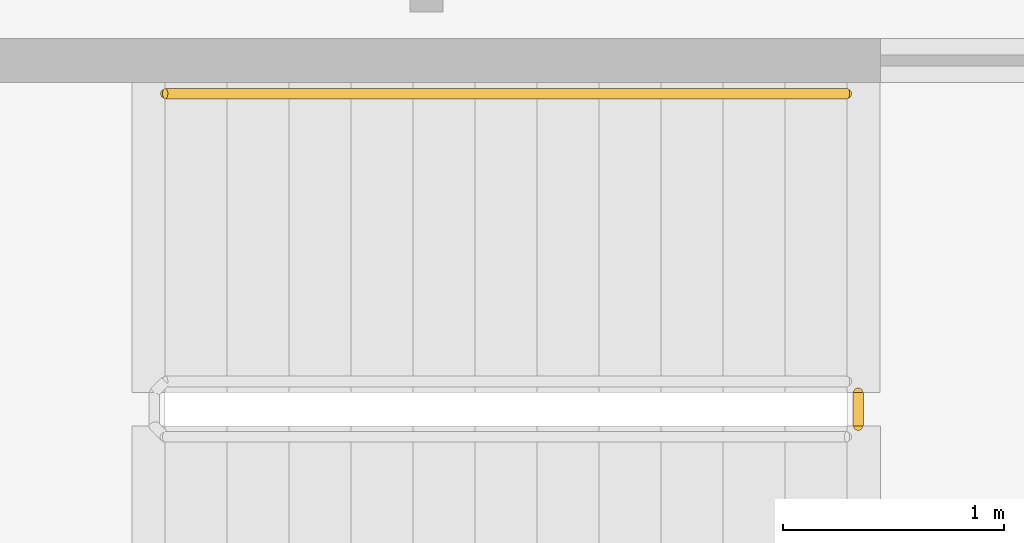
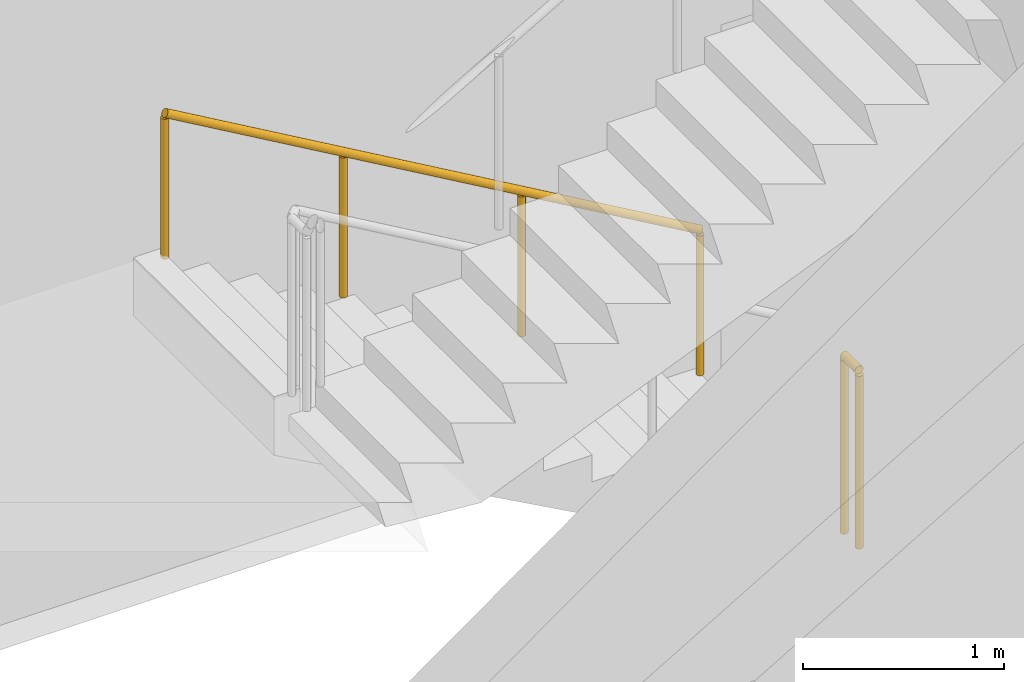
# One storey, part 19 of 22: 2 railings.
"""IFC4 building model written with IfcOpenShell, lengths in metres."""

from ifc_helpers import new_model, si_unit, direction, frame, origin, origin_2d, place, context, subcontext, project, spatial, circle, extrude, material, type_object, element, save


model = new_model("IFC4")

# Units and contexts
model_context = context("Model", 3, precision=1e-05, world=origin(), true_north=direction((0.0, 1.0)))
body_context = subcontext(model_context, "Body", "Model", "MODEL_VIEW")
ifc_project = project(units=[si_unit("LENGTHUNIT", "METRE"), si_unit("AREAUNIT", "SQUARE_METRE"), si_unit("VOLUMEUNIT", "CUBIC_METRE"), si_unit("PLANEANGLEUNIT", "RADIAN"), si_unit("MASSUNIT", "GRAM", prefix="KILO")], contexts=[model_context])

# Site, building, storey
site_placement = place(None, origin())
site = spatial("IfcSite", under=ifc_project, at=site_placement, CompositionType="ELEMENT")
building_placement = place(site_placement, origin())
building = spatial("IfcBuilding", under=site, at=building_placement, Name="Kheshtan School and Residences Tower", CompositionType="ELEMENT")
storey_placement = place(building_placement, frame((0.0, 0.0, 251.300048828125)))
storey = spatial("IfcBuildingStorey", under=building, at=storey_placement, Name="L59", CompositionType="ELEMENT", Elevation=251.300048828125)

# Railings
ifc_material_1 = material(Name="Stainless steel balustrade", Category="steel")
railing_type_1 = type_object("IfcRailingType", Name="Stair guard 1100", PredefinedType="GUARDRAIL", material=ifc_material_1)
railing_1_placement = place(storey_placement, frame((78.4599609375, 24.39990234375, 0.0)))
element("IfcRailing", 1, at=railing_1_placement, inside=storey, type_object=railing_type_1, Name="L59 ST5 stair guard 2", PredefinedType="GUARDRAIL", context=body_context, shape_type="SweptSolid", body=[
    extrude(circle(Radius=0.02392578125, at=origin_2d()), frame((0.0, 0.0, 1.076171875), z_axis=(0.0, -1.0, 0.0), x_axis=(1.0, 0.0, 0.0)), (0.0, 0.0, 1.0), 0.14990234375),
    extrude(circle(Radius=0.02099609375, at=origin_2d()), origin(), (0.0, 0.0, 1.0), 1.052001953125),
    extrude(circle(Radius=0.02099609375, at=origin_2d()), frame((0.0, -0.14990234375, 0.0)), (0.0, 0.0, 1.0), 1.052001953125),
])
ifc_material_2 = material(Name="Stainless steel handrail", Category="steel")
railing_type_2 = type_object("IfcRailingType", Name="Stair handrail 900", PredefinedType="HANDRAIL", material=ifc_material_2)
railing_2_placement = place(storey_placement, frame((78.409912109375, 25.75, 0.162353515625)))
element("IfcRailing", 2, at=railing_2_placement, inside=storey, type_object=railing_type_2, Name="L59 ST5 stair handrail 1", PredefinedType="HANDRAIL", context=body_context, shape_type="SweptSolid", body=[
    extrude(circle(Radius=0.02392578125, at=origin_2d()), frame((0.0, 0.0, 0.8759765625), z_axis=(-0.864873446163, 0.0, 0.501989962173), x_axis=(0.0, -1.0, 0.0)), (0.0, 0.0, 1.0), 3.56103515625),
    extrude(circle(Radius=0.02099609375, at=origin_2d()), origin(), (0.0, 0.0, 1.0), 0.851806640625),
    extrude(circle(Radius=0.02099609375, at=origin_2d()), frame((-1.026611328125, 0.0, 0.595947265625)), (0.0, 0.0, 1.0), 0.851806640625),
    extrude(circle(Radius=0.02099609375, at=origin_2d()), frame((-2.05322265625, 0.0, 1.191650390625)), (0.0, 0.0, 1.0), 0.851806640625),
    extrude(circle(Radius=0.02099609375, at=origin_2d()), frame((-3.079833984375, 0.0, 1.78759765625)), (0.0, 0.0, 1.0), 0.851806640625),
])

save(model, "model.ifc")
